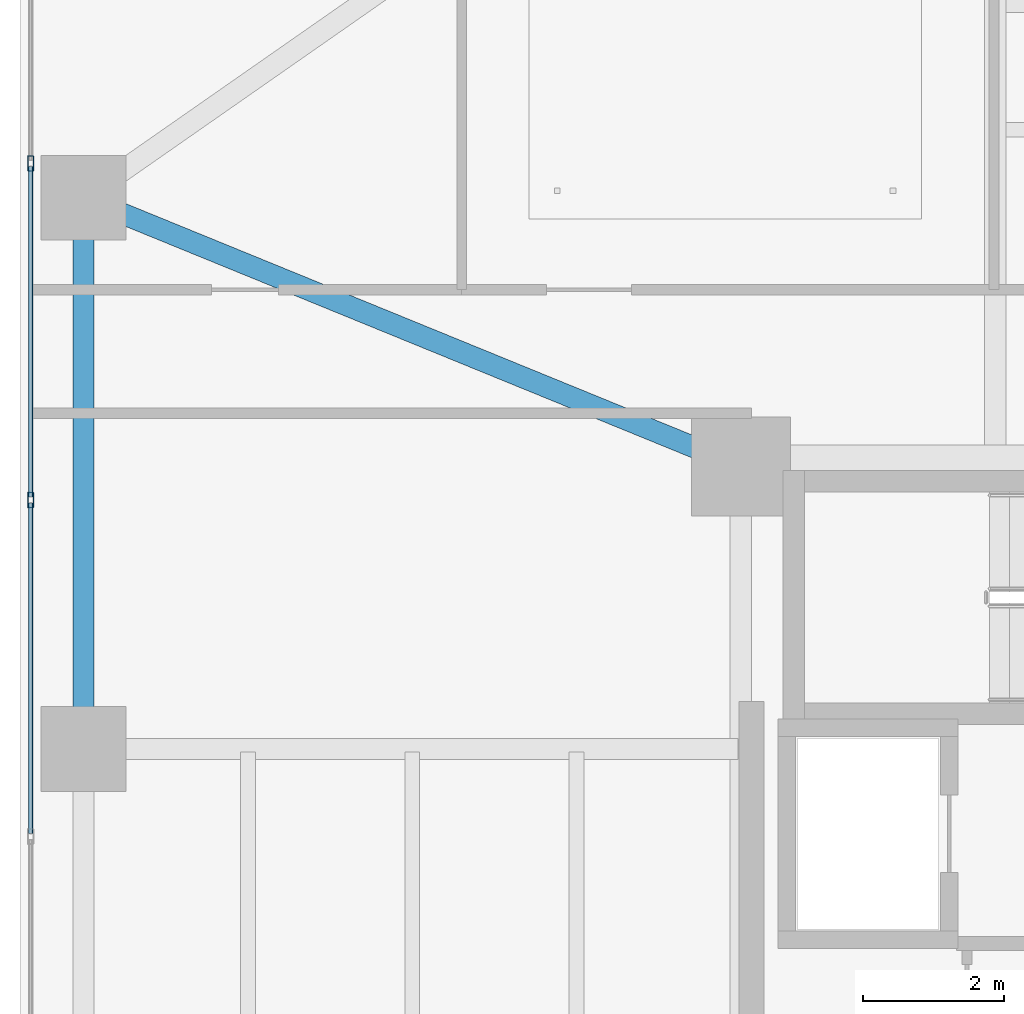
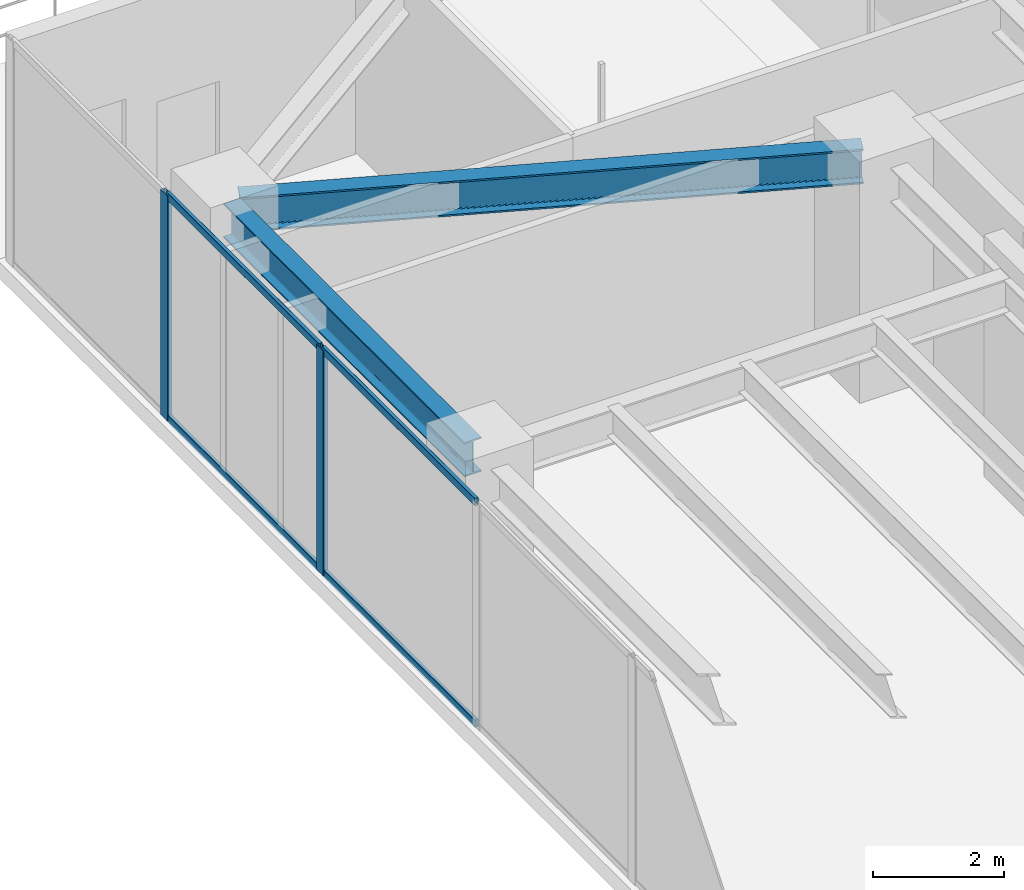
# One storey, part 17 of 39: 6 members, 2 beams, 1 element without a shape of its own.
"""IFC4 building model written with IfcOpenShell, lengths in metres."""

from ifc_helpers import new_model, si_unit, direction, frame, origin, origin_2d, place, context, subcontext, project, spatial, hollow_rectangle, i_section, extrude, material, layer, layer_set, material_profile, profile_set, type_object, element, aggregate, save


model = new_model("IFC4")

# Units and contexts
model_context = context("Model", 3, precision=1e-05, world=origin(), true_north=direction((0.0, 1.0)))
body_context = subcontext(model_context, "Body", "Model", "MODEL_VIEW")
ifc_project = project(units=[si_unit("LENGTHUNIT", "METRE"), si_unit("AREAUNIT", "SQUARE_METRE"), si_unit("VOLUMEUNIT", "CUBIC_METRE"), si_unit("PLANEANGLEUNIT", "RADIAN"), si_unit("MASSUNIT", "GRAM", prefix="KILO")], contexts=[model_context])

# Site, building, storey
site_placement = place(None, origin())
site = spatial("IfcSite", under=ifc_project, at=site_placement, CompositionType="ELEMENT")
building_placement = place(site_placement, origin())
building = spatial("IfcBuilding", under=site, at=building_placement, Name="Tarnavaz Court Tower", CompositionType="ELEMENT")
storey_placement = place(building_placement, frame((0.0, 0.0, 68.699951171875)))
storey = spatial("IfcBuildingStorey", under=building, at=storey_placement, Name="L18", CompositionType="ELEMENT", Elevation=68.699951171875)

# Beams
ifc_material_1 = material(Name="Steel S355", Category="steel")
ifc_material_profile_1 = material_profile(ifc_material_1, i_section(OverallWidth=0.300048828125, OverallDepth=0.64990234375, WebThickness=0.01611328125, FlangeThickness=0.031005859375, FilletRadius=0.027099609375, at=origin_2d()), Name="HEB 650")
ifc_profile_set_1 = profile_set([ifc_material_profile_1], Name="Steel S355")
beam_type_1 = type_object("IfcBeamType", Name="BM-G-HEB650", PredefinedType="USERDEFINED", material=ifc_profile_set_1)
beam_1_placement = place(storey_placement, frame((-18.8037109375, 10.083251953125, 3.875), z_axis=(-0.925704761705, 0.378246869329, 0.0), x_axis=(-0.378246869329, -0.925704761705, 0.0)))
element("IfcBeam", 1, at=beam_1_placement, inside=storey, type_object=beam_type_1, Name="L18 Beam RG-16", ObjectType="GIRDER", PredefinedType="USERDEFINED", context=body_context, shape_type="SweptSolid", body=[
    extrude(i_section(OverallWidth=0.300048828125, OverallDepth=0.64990234375, WebThickness=0.01611328125, FlangeThickness=0.031005859375, FilletRadius=0.027099609375, at=origin_2d()), origin(), (0.0, 0.0, 1.0), 9.606201171875),
])
ifc_material_profile_2 = material_profile(ifc_material_1, i_section(OverallWidth=0.300048828125, OverallDepth=0.639892578125, WebThickness=0.013427734375, FlangeThickness=0.02587890625, FilletRadius=0.027099609375, at=origin_2d()), Name="HEA 650")
ifc_profile_set_2 = profile_set([ifc_material_profile_2], Name="Steel S355")
beam_type_2 = type_object("IfcBeamType", Name="BM-SP-HEA650", PredefinedType="SPANDREL", material=ifc_profile_set_2)
beam_2_placement = place(storey_placement, frame((-27.89990234375, 6.219970703125, 3.880126953125), z_axis=(0.0, 1.0, 0.0), x_axis=(-1.0, 0.0, 0.0)))
element("IfcBeam", 2, at=beam_2_placement, inside=storey, type_object=beam_type_2, Name="L18 Beam PR-PW-3-PW-4", PredefinedType="SPANDREL", context=body_context, shape_type="SweptSolid", body=[
    extrude(i_section(OverallWidth=0.300048828125, OverallDepth=0.639892578125, WebThickness=0.013427734375, FlangeThickness=0.02587890625, FilletRadius=0.027099609375, at=origin_2d()), origin(), (0.0, 0.0, 1.0), 7.360107421875),
])

# Curtain wall, members
ifc_material_2 = material(Name="Anodised Aluminium 6063-T6 and Solar Low-E Glazing", Category="aluminium")
ifc_layer = layer(ifc_material_2, 0.199951171875)
ifc_layer_set = layer_set([ifc_layer], Name="Anodised Aluminium 6063-T6 and Solar Low-E Glazing")
curtain_wall_type = type_object("IfcCurtainWallType", Name="CW-SYS-05", PredefinedType="NOTDEFINED", material=ifc_layer_set)
curtain_wall_placement = place(storey_placement, origin())
curtain_wall = element("IfcCurtainWall", 3, at=curtain_wall_placement, inside=storey, type_object=curtain_wall_type, Name="L18 Sky-Portal Curtain Wall 2", PredefinedType="NOTDEFINED")
ifc_material_3 = material(Name="Anodised Aluminium 6063-T6", Category="aluminium")
ifc_material_profile_3 = material_profile(ifc_material_3, hollow_rectangle(XDim=0.0849609375, YDim=0.219970703125, WallThickness=0.006103515625, InnerFilletRadius=0.006103515625, OuterFilletRadius=0.011962890625, at=origin_2d()), Name="ALU RHS 220X85X6")
ifc_profile_set_3 = profile_set([ifc_material_profile_3], Name="Anodised Aluminium 6063-T6")
member_type_1 = type_object("IfcMemberType", Name="CW-MUL-220", PredefinedType="MULLION", material=ifc_profile_set_3)
member_1_placement = place(storey_placement, frame((-28.64990234375, 9.52490234375, 0.0), z_axis=(0.0, 0.0, 1.0), x_axis=(-1.0, 0.0, 0.0)))
member_1 = element("IfcMember", 4, at=member_1_placement, type_object=member_type_1, Name="CW mullion 7", PredefinedType="MULLION", context=body_context, shape_type="SweptSolid", body=[
    extrude(hollow_rectangle(XDim=0.0849609375, YDim=0.219970703125, WallThickness=0.006103515625, InnerFilletRadius=0.006103515625, OuterFilletRadius=0.011962890625, at=origin_2d()), origin(), (0.0, 0.0, 1.0), 4.199951171875),
])
member_2_placement = place(storey_placement, frame((-28.64990234375, 14.28759765625, 0.0), z_axis=(0.0, 0.0, 1.0), x_axis=(-1.0, 0.0, 0.0)))
member_2 = element("IfcMember", 5, at=member_2_placement, type_object=member_type_1, Name="CW mullion 8", PredefinedType="MULLION", context=body_context, shape_type="SweptSolid", body=[
    extrude(hollow_rectangle(XDim=0.0849609375, YDim=0.219970703125, WallThickness=0.006103515625, InnerFilletRadius=0.006103515625, OuterFilletRadius=0.011962890625, at=origin_2d()), origin(), (0.0, 0.0, 1.0), 4.199951171875),
])
ifc_material_profile_4 = material_profile(ifc_material_3, hollow_rectangle(XDim=0.06494140625, YDim=0.139892578125, WallThickness=0.00390625, InnerFilletRadius=0.00390625, OuterFilletRadius=0.008056640625, at=origin_2d()), Name="ALU RHS 140X65X4")
ifc_profile_set_4 = profile_set([ifc_material_profile_4], Name="Anodised Aluminium 6063-T6")
member_type_2 = type_object("IfcMemberType", Name="CW-TRN-140", PredefinedType="USERDEFINED", material=ifc_profile_set_4)
member_3_placement = place(storey_placement, frame((-28.64990234375, 4.804931640625, 0.032470703125), z_axis=(0.0, 1.0, 0.0), x_axis=(-1.0, 0.0, 0.0)))
member_3 = element("IfcMember", 6, at=member_3_placement, type_object=member_type_2, Name="CW transom 6.1", ObjectType="TRANSOM", PredefinedType="USERDEFINED", context=body_context, shape_type="SweptSolid", body=[
    extrude(hollow_rectangle(XDim=0.06494140625, YDim=0.139892578125, WallThickness=0.00390625, InnerFilletRadius=0.00390625, OuterFilletRadius=0.008056640625, at=origin_2d()), origin(), (0.0, 0.0, 1.0), 4.677490234375),
])
member_4_placement = place(storey_placement, frame((-28.64990234375, 4.804931640625, 4.16748046875), z_axis=(0.0, 1.0, 0.0), x_axis=(-1.0, 0.0, 0.0)))
member_4 = element("IfcMember", 7, at=member_4_placement, type_object=member_type_2, Name="CW transom 6.2", ObjectType="TRANSOM", PredefinedType="USERDEFINED", context=body_context, shape_type="SweptSolid", body=[
    extrude(hollow_rectangle(XDim=0.06494140625, YDim=0.139892578125, WallThickness=0.00390625, InnerFilletRadius=0.00390625, OuterFilletRadius=0.008056640625, at=origin_2d()), origin(), (0.0, 0.0, 1.0), 4.677490234375),
])
member_5_placement = place(storey_placement, frame((-28.64990234375, 9.5673828125, 0.032470703125), z_axis=(0.0, 1.0, 0.0), x_axis=(-1.0, 0.0, 0.0)))
member_5 = element("IfcMember", 8, at=member_5_placement, type_object=member_type_2, Name="CW transom 7.1", ObjectType="TRANSOM", PredefinedType="USERDEFINED", context=body_context, shape_type="SweptSolid", body=[
    extrude(hollow_rectangle(XDim=0.06494140625, YDim=0.139892578125, WallThickness=0.00390625, InnerFilletRadius=0.00390625, OuterFilletRadius=0.008056640625, at=origin_2d()), origin(), (0.0, 0.0, 1.0), 4.677734375),
])
member_6_placement = place(storey_placement, frame((-28.64990234375, 9.5673828125, 4.16748046875), z_axis=(0.0, 1.0, 0.0), x_axis=(-1.0, 0.0, 0.0)))
member_6 = element("IfcMember", 9, at=member_6_placement, type_object=member_type_2, Name="CW transom 7.2", ObjectType="TRANSOM", PredefinedType="USERDEFINED", context=body_context, shape_type="SweptSolid", body=[
    extrude(hollow_rectangle(XDim=0.06494140625, YDim=0.139892578125, WallThickness=0.00390625, InnerFilletRadius=0.00390625, OuterFilletRadius=0.008056640625, at=origin_2d()), origin(), (0.0, 0.0, 1.0), 4.677734375),
])
aggregate(curtain_wall, [member_1, member_2, member_3, member_4, member_5, member_6])

save(model, "model.ifc")
